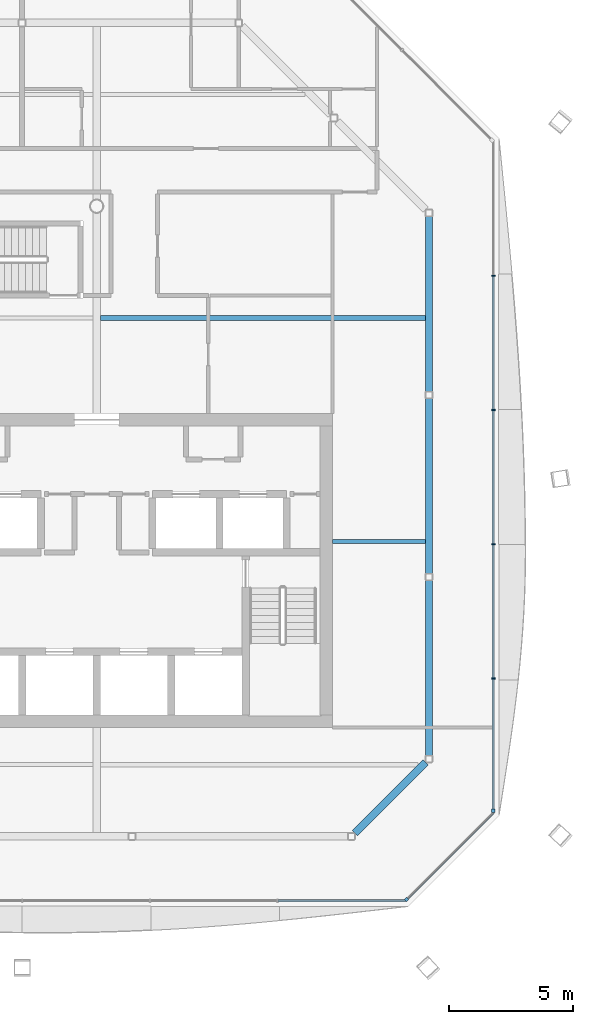
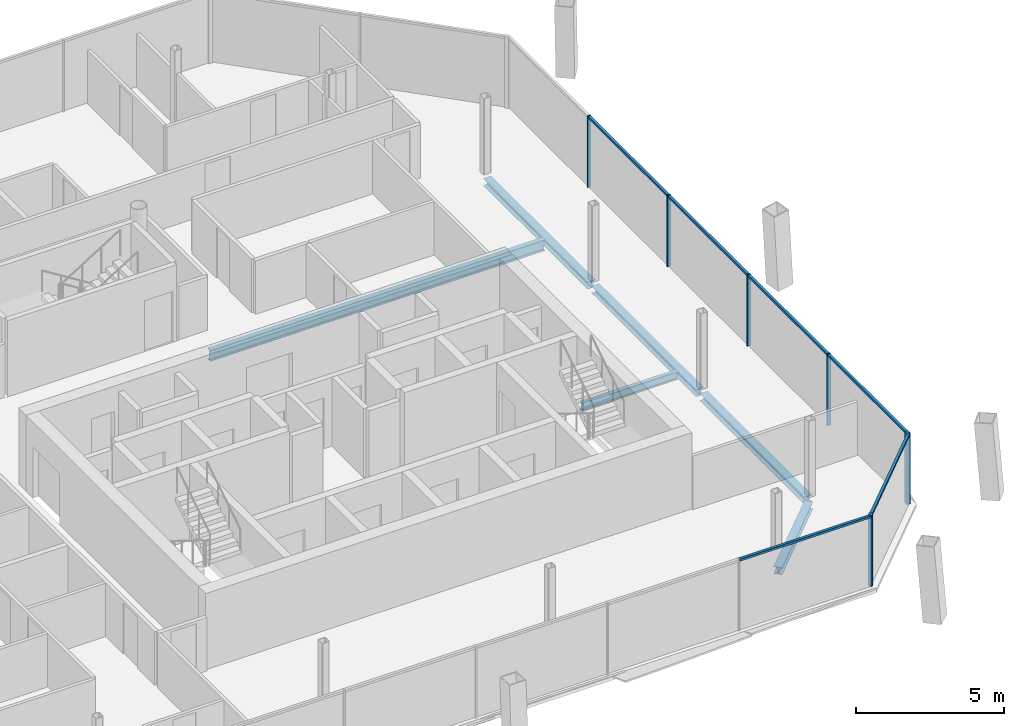
# One storey, part 7 of 18: 12 members, 6 beams, 3 elements without a shape of their own.
"""IFC4 building model written with IfcOpenShell, lengths in metres."""

from ifc_helpers import new_model, si_unit, direction, frame, origin, origin_2d, place, context, subcontext, project, spatial, rectangle, i_section, extrude, material, material_profile, profile_set, type_object, element, aggregate, save


model = new_model("IFC4")

# Units and contexts
model_context = context("Model", 3, precision=1e-05, world=origin(), true_north=direction((0.0, 1.0)))
body_context = subcontext(model_context, "Body", "Model", "MODEL_VIEW")
ifc_project = project(units=[si_unit("LENGTHUNIT", "METRE"), si_unit("AREAUNIT", "SQUARE_METRE"), si_unit("VOLUMEUNIT", "CUBIC_METRE"), si_unit("PLANEANGLEUNIT", "RADIAN"), si_unit("MASSUNIT", "GRAM", prefix="KILO")], contexts=[model_context])

# Site, building, storey
site_placement = place(None, origin())
site = spatial("IfcSite", under=ifc_project, at=site_placement, CompositionType="ELEMENT")
building_placement = place(site_placement, origin())
building = spatial("IfcBuilding", under=site, at=building_placement, Name="Tskaro Facet Tower", CompositionType="ELEMENT")
storey_placement = place(building_placement, frame((0.0, 0.0, 223.5)))
storey = spatial("IfcBuildingStorey", under=building, at=storey_placement, Name="L57", CompositionType="ELEMENT", Elevation=223.5)

# Curtain wall, member
ifc_material_1 = material(Name="Bronze anodised aluminium 6063-T6", Category="aluminium")
curtain_wall_type = type_object("IfcCurtainWallType", Name="Bronze residence curtain wall (FW3)", PredefinedType="NOTDEFINED", material=ifc_material_1)
curtain_wall_1_placement = place(storey_placement, origin())
curtain_wall_1 = element("IfcCurtainWall", 1, at=curtain_wall_1_placement, inside=storey, type_object=curtain_wall_type, Name="FW3 south-east facet L57", PredefinedType="NOTDEFINED")
ifc_material_profile_1 = material_profile(ifc_material_1, rectangle(XDim=0.139892578125, YDim=0.139892578125, at=origin_2d()), Name="Corner post 140x140")
ifc_profile_set_1 = profile_set([ifc_material_profile_1], Name="Bronze anodised aluminium 6063-T6")
member_type_1 = type_object("IfcMemberType", Name="FW3 bronze corner post 140x140", PredefinedType="MULLION", material=ifc_profile_set_1)
member_1_placement = place(storey_placement, frame((12.484619140625, -18.935546875, 0.0), z_axis=(0.0, 0.0, 1.0), x_axis=(0.707106781187, 0.707106781187, 0.0)))
member_1 = element("IfcMember", 2, at=member_1_placement, type_object=member_type_1, Name="FW3 south-east corner post", PredefinedType="MULLION", context=body_context, shape_type="SweptSolid", body=[
    extrude(rectangle(XDim=0.139892578125, YDim=0.139892578125, at=origin_2d()), origin(), (0.0, 0.0, 1.0), 2.949951171875),
])

# Curtain wall, members
curtain_wall_2_placement = place(storey_placement, origin())
curtain_wall_2 = element("IfcCurtainWall", 3, at=curtain_wall_2_placement, inside=storey, type_object=curtain_wall_type, Name="FW3 east facet L57", PredefinedType="NOTDEFINED")
member_2_placement = place(storey_placement, frame((15.985107421875, -15.364990234375, 0.0), z_axis=(0.0, 0.0, 1.0), x_axis=(0.0, 1.0, 0.0)))
member_2 = element("IfcMember", 4, at=member_2_placement, type_object=member_type_1, Name="FW3 east corner post", PredefinedType="MULLION", context=body_context, shape_type="SweptSolid", body=[
    extrude(rectangle(XDim=0.139892578125, YDim=0.139892578125, at=origin_2d()), origin(), (0.0, 0.0, 1.0), 2.949951171875),
])
ifc_material_profile_2 = material_profile(ifc_material_1, rectangle(XDim=0.050048828125, YDim=0.139892578125, at=origin_2d()), Name="Mullion 50x140")
ifc_profile_set_2 = profile_set([ifc_material_profile_2], Name="Bronze anodised aluminium 6063-T6")
member_type_2 = type_object("IfcMemberType", Name="FW3 bronze mullion 50x140", PredefinedType="MULLION", material=ifc_profile_set_2)
member_3_placement = place(storey_placement, frame((15.985107421875, -10.026123046875, 0.0), z_axis=(0.0, 0.0, 1.0), x_axis=(0.0, 1.0, 0.0)))
member_3 = element("IfcMember", 5, at=member_3_placement, type_object=member_type_2, Name="FW3 east mullion 1", PredefinedType="MULLION", context=body_context, shape_type="SweptSolid", body=[
    extrude(rectangle(XDim=0.050048828125, YDim=0.139892578125, at=origin_2d()), origin(), (0.0, 0.0, 1.0), 2.949951171875),
])
member_4_placement = place(storey_placement, frame((15.985107421875, -4.617431640625, 0.0), z_axis=(0.0, 0.0, 1.0), x_axis=(0.0, 1.0, 0.0)))
member_4 = element("IfcMember", 6, at=member_4_placement, type_object=member_type_2, Name="FW3 east mullion 2", PredefinedType="MULLION", context=body_context, shape_type="SweptSolid", body=[
    extrude(rectangle(XDim=0.050048828125, YDim=0.139892578125, at=origin_2d()), origin(), (0.0, 0.0, 1.0), 2.949951171875),
])
member_5_placement = place(storey_placement, frame((15.985107421875, 0.79150390625, 0.0), z_axis=(0.0, 0.0, 1.0), x_axis=(0.0, 1.0, 0.0)))
member_5 = element("IfcMember", 7, at=member_5_placement, type_object=member_type_2, Name="FW3 east mullion 3", PredefinedType="MULLION", context=body_context, shape_type="SweptSolid", body=[
    extrude(rectangle(XDim=0.050048828125, YDim=0.139892578125, at=origin_2d()), origin(), (0.0, 0.0, 1.0), 2.949951171875),
])
member_6_placement = place(storey_placement, frame((15.985107421875, 6.2001953125, 0.0), z_axis=(0.0, 0.0, 1.0), x_axis=(0.0, 1.0, 0.0)))
member_6 = element("IfcMember", 8, at=member_6_placement, type_object=member_type_2, Name="FW3 east mullion 4", PredefinedType="MULLION", context=body_context, shape_type="SweptSolid", body=[
    extrude(rectangle(XDim=0.050048828125, YDim=0.139892578125, at=origin_2d()), origin(), (0.0, 0.0, 1.0), 2.949951171875),
])

# Curtain wall, member
curtain_wall_3_placement = place(storey_placement, origin())
curtain_wall_3 = element("IfcCurtainWall", 9, at=curtain_wall_3_placement, inside=storey, type_object=curtain_wall_type, Name="FW3 south facet L57", PredefinedType="NOTDEFINED")
ifc_material_profile_3 = material_profile(ifc_material_1, rectangle(XDim=0.10009765625, YDim=0.090087890625, at=origin_2d()), Name="Transom 100x90")
ifc_profile_set_3 = profile_set([ifc_material_profile_3], Name="Bronze anodised aluminium 6063-T6")
member_type_3 = type_object("IfcMemberType", Name="FW3 bronze transom 100x90", PredefinedType="USERDEFINED", material=ifc_profile_set_3)
member_7_placement = place(storey_placement, frame((7.31494140625, -18.985107421875, 2.905029296875), z_axis=(1.0, 0.0, 0.0), x_axis=(0.0, 1.0, 0.0)))
member_7 = element("IfcMember", 10, at=member_7_placement, type_object=member_type_3, Name="FW3 south transom 6.1", ObjectType="TRANSOM", PredefinedType="USERDEFINED", context=body_context, shape_type="SweptSolid", body=[
    extrude(rectangle(XDim=0.10009765625, YDim=0.090087890625, at=origin_2d()), origin(), (0.0, 0.0, 1.0), 5.1201171875),
])
aggregate(curtain_wall_3, [member_7])

# Member
member_8_placement = place(storey_placement, frame((12.533935546875, -18.885986328125, 2.905029296875), z_axis=(0.70713179248, 0.707081769008, 0.0), x_axis=(-0.707081769008, 0.70713179248, 0.0)))
member_8 = element("IfcMember", 11, at=member_8_placement, type_object=member_type_3, Name="FW3 south-east transom 1.1", ObjectType="TRANSOM", PredefinedType="USERDEFINED", context=body_context, shape_type="SweptSolid", body=[
    extrude(rectangle(XDim=0.10009765625, YDim=0.090087890625, at=origin_2d()), origin(), (0.0, 0.0, 1.0), 4.880615234375),
])

aggregate(curtain_wall_1, [member_1, member_8])

member_9_placement = place(storey_placement, frame((15.985107421875, -15.294921875, 2.905029296875), z_axis=(0.0, 1.0, 0.0), x_axis=(-1.0, 0.0, 0.0)))
member_9 = element("IfcMember", 12, at=member_9_placement, type_object=member_type_3, Name="FW3 east transom 1.1", ObjectType="TRANSOM", PredefinedType="USERDEFINED", context=body_context, shape_type="SweptSolid", body=[
    extrude(rectangle(XDim=0.10009765625, YDim=0.090087890625, at=origin_2d()), origin(), (0.0, 0.0, 1.0), 5.24365234375),
])

member_10_placement = place(storey_placement, frame((15.985107421875, -10.001220703125, 2.905029296875), z_axis=(0.0, 1.0, 0.0), x_axis=(-1.0, 0.0, 0.0)))
member_10 = element("IfcMember", 13, at=member_10_placement, type_object=member_type_3, Name="FW3 east transom 2.1", ObjectType="TRANSOM", PredefinedType="USERDEFINED", context=body_context, shape_type="SweptSolid", body=[
    extrude(rectangle(XDim=0.10009765625, YDim=0.090087890625, at=origin_2d()), origin(), (0.0, 0.0, 1.0), 5.35888671875),
])

member_11_placement = place(storey_placement, frame((15.985107421875, -4.59228515625, 2.905029296875), z_axis=(0.0, 1.0, 0.0), x_axis=(-1.0, 0.0, 0.0)))
member_11 = element("IfcMember", 14, at=member_11_placement, type_object=member_type_3, Name="FW3 east transom 3.1", ObjectType="TRANSOM", PredefinedType="USERDEFINED", context=body_context, shape_type="SweptSolid", body=[
    extrude(rectangle(XDim=0.10009765625, YDim=0.090087890625, at=origin_2d()), origin(), (0.0, 0.0, 1.0), 5.358642578125),
])

member_12_placement = place(storey_placement, frame((15.985107421875, 0.81640625, 2.905029296875), z_axis=(0.0, 1.0, 0.0), x_axis=(-1.0, 0.0, 0.0)))
member_12 = element("IfcMember", 15, at=member_12_placement, type_object=member_type_3, Name="FW3 east transom 4.1", ObjectType="TRANSOM", PredefinedType="USERDEFINED", context=body_context, shape_type="SweptSolid", body=[
    extrude(rectangle(XDim=0.10009765625, YDim=0.090087890625, at=origin_2d()), origin(), (0.0, 0.0, 1.0), 5.35888671875),
])

aggregate(curtain_wall_2, [member_2, member_3, member_4, member_5, member_6, member_9, member_10, member_11, member_12])

# Beams
ifc_material_2 = material(Name="Steel S355J2", Category="steel")
ifc_material_profile_4 = material_profile(ifc_material_2, i_section(OverallWidth=0.300048828125, OverallDepth=0.300048828125, WebThickness=0.010986328125, FlangeThickness=0.01904296875, FilletRadius=0.027099609375, at=origin_2d()), Name="HE 300 B")
ifc_profile_set_4 = profile_set([ifc_material_profile_4], Name="Steel S355J2")
beam_type_1 = type_object("IfcBeamType", Name="HE 300 B ring beam", PredefinedType="BEAM", material=ifc_profile_set_4)
beam_1_placement = place(storey_placement, frame((10.40380859375, -16.255126953125, -0.2900390625), z_axis=(0.707106781187, 0.707106781187, 0.0), x_axis=(-0.707106781187, 0.707106781187, 0.0)))
element("IfcBeam", 16, at=beam_1_placement, inside=storey, type_object=beam_type_1, Name="HE 300 B EB4-5", PredefinedType="BEAM", context=body_context, shape_type="SweptSolid", body=[
    extrude(i_section(OverallWidth=0.300048828125, OverallDepth=0.300048828125, WebThickness=0.010986328125, FlangeThickness=0.01904296875, FilletRadius=0.027099609375, at=origin_2d()), origin(), (0.0, 0.0, 1.0), 4.032470703125),
])
beam_2_placement = place(storey_placement, frame((13.39111328125, -13.137939453125, -0.2900390625), z_axis=(0.0, 1.0, 0.0), x_axis=(-1.0, 0.0, 0.0)))
element("IfcBeam", 17, at=beam_2_placement, inside=storey, type_object=beam_type_1, Name="HE 300 B EB5-5", PredefinedType="BEAM", context=body_context, shape_type="SweptSolid", body=[
    extrude(i_section(OverallWidth=0.300048828125, OverallDepth=0.300048828125, WebThickness=0.010986328125, FlangeThickness=0.01904296875, FilletRadius=0.027099609375, at=origin_2d()), origin(), (0.0, 0.0, 1.0), 7.071044921875),
])
beam_3_placement = place(storey_placement, frame((13.39111328125, -5.806884765625, -0.2900390625), z_axis=(0.0, 1.0, 0.0), x_axis=(-1.0, 0.0, 0.0)))
element("IfcBeam", 18, at=beam_3_placement, inside=storey, type_object=beam_type_1, Name="HE 300 B EB6-5", PredefinedType="BEAM", context=body_context, shape_type="SweptSolid", body=[
    extrude(i_section(OverallWidth=0.300048828125, OverallDepth=0.300048828125, WebThickness=0.010986328125, FlangeThickness=0.01904296875, FilletRadius=0.027099609375, at=origin_2d()), origin(), (0.0, 0.0, 1.0), 7.07080078125),
])
beam_4_placement = place(storey_placement, frame((13.39111328125, 1.52392578125, -0.2900390625), z_axis=(0.0, 1.0, 0.0), x_axis=(-1.0, 0.0, 0.0)))
element("IfcBeam", 19, at=beam_4_placement, inside=storey, type_object=beam_type_1, Name="HE 300 B EB7-5", PredefinedType="BEAM", context=body_context, shape_type="SweptSolid", body=[
    extrude(i_section(OverallWidth=0.300048828125, OverallDepth=0.300048828125, WebThickness=0.010986328125, FlangeThickness=0.01904296875, FilletRadius=0.027099609375, at=origin_2d()), origin(), (0.0, 0.0, 1.0), 7.071044921875),
])
ifc_material_profile_5 = material_profile(ifc_material_2, i_section(OverallWidth=0.159912109375, OverallDepth=0.330078125, WebThickness=0.007568359375, FlangeThickness=0.011474609375, FilletRadius=0.01806640625, at=origin_2d()), Name="IPE 330")
ifc_profile_set_5 = profile_set([ifc_material_profile_5], Name="Steel S355J2")
beam_type_2 = type_object("IfcBeamType", Name="IPE 330 secondary beam", PredefinedType="BEAM", material=ifc_profile_set_5)
beam_5_placement = place(storey_placement, frame((9.5, -4.5, -0.304931640625), z_axis=(1.0, 0.0, 0.0), x_axis=(0.0, 1.0, 0.0)))
element("IfcBeam", 20, at=beam_5_placement, inside=storey, type_object=beam_type_2, Name="IPE 330 SB3a-2-5", PredefinedType="BEAM", context=body_context, shape_type="SweptSolid", body=[
    extrude(i_section(OverallWidth=0.159912109375, OverallDepth=0.330078125, WebThickness=0.007568359375, FlangeThickness=0.011474609375, FilletRadius=0.01806640625, at=origin_2d()), origin(), (0.0, 0.0, 1.0), 3.740966796875),
])
ifc_material_profile_6 = material_profile(ifc_material_2, i_section(OverallWidth=0.18994140625, OverallDepth=0.449951171875, WebThickness=0.009521484375, FlangeThickness=0.0146484375, FilletRadius=0.02099609375, at=origin_2d()), Name="IPE 450")
ifc_profile_set_6 = profile_set([ifc_material_profile_6], Name="Steel S355J2")
beam_type_3 = type_object("IfcBeamType", Name="IPE 450 long secondary beam", PredefinedType="BEAM", material=ifc_profile_set_6)
beam_6_placement = place(storey_placement, frame((0.14990234375, 4.5, -0.364990234375), z_axis=(1.0, 0.0, 0.0), x_axis=(0.0, 1.0, 0.0)))
element("IfcBeam", 21, at=beam_6_placement, inside=storey, type_object=beam_type_3, Name="IPE 450 LSB4a-3-5", PredefinedType="BEAM", context=body_context, shape_type="SweptSolid", body=[
    extrude(i_section(OverallWidth=0.18994140625, OverallDepth=0.449951171875, WebThickness=0.009521484375, FlangeThickness=0.0146484375, FilletRadius=0.02099609375, at=origin_2d()), origin(), (0.0, 0.0, 1.0), 13.091064453125),
])

save(model, "model.ifc")
